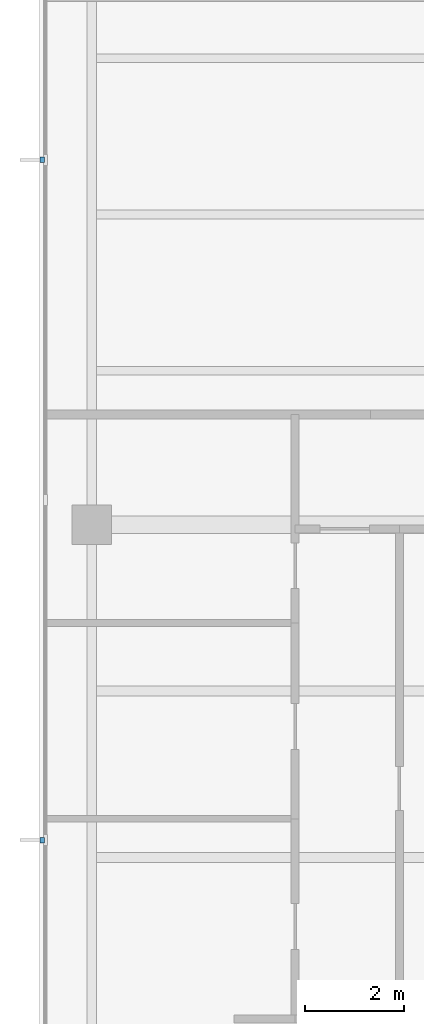
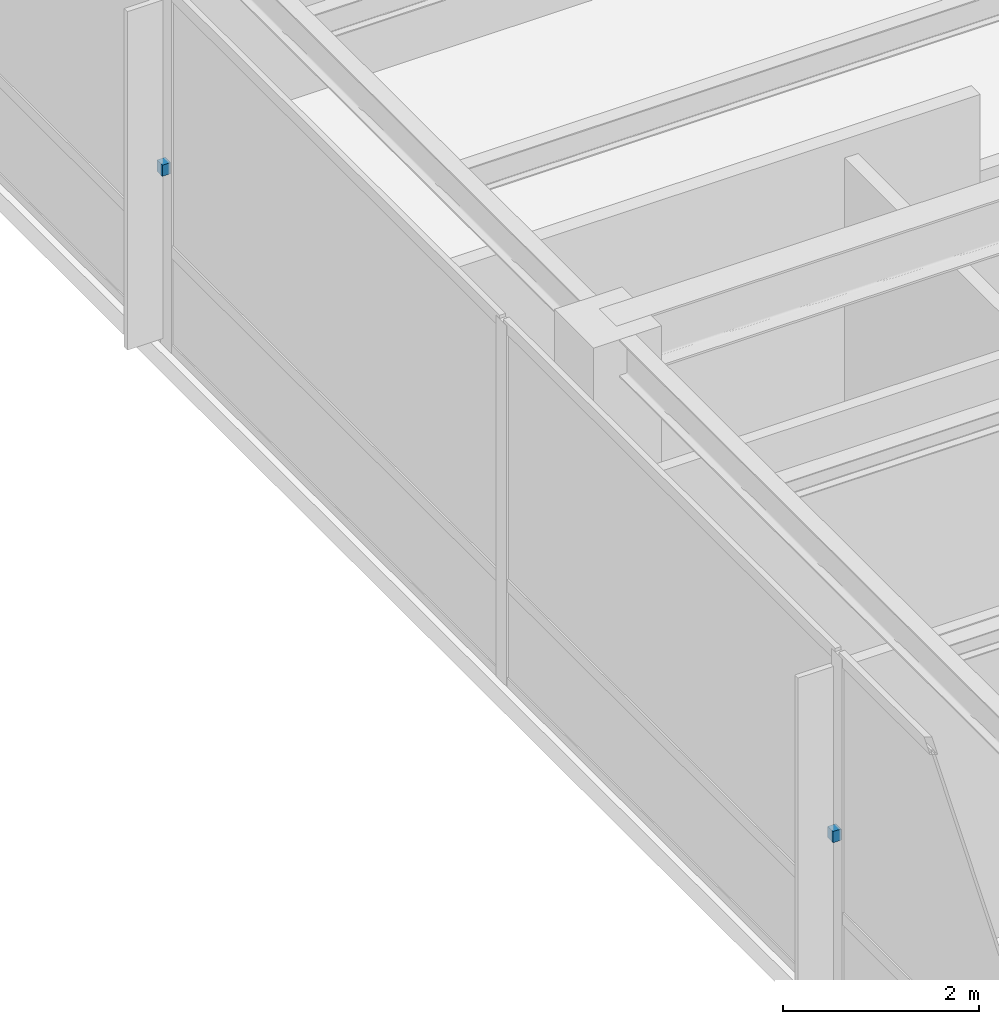
# One storey, part 9 of 11: 2 discrete accessories.
"""IFC4 building model written with IfcOpenShell, lengths in metres."""

from ifc_helpers import new_model, si_unit, direction, frame, origin, place, context, subcontext, project, spatial, polyline, outline, extrude, material, type_object, element, save


model = new_model("IFC4")

# Units and contexts
model_context = context("Model", 3, precision=1e-05, world=origin(), true_north=direction((0.0, 1.0)))
body_context = subcontext(model_context, "Body", "Model", "MODEL_VIEW")
ifc_project = project(units=[si_unit("LENGTHUNIT", "METRE"), si_unit("AREAUNIT", "SQUARE_METRE"), si_unit("VOLUMEUNIT", "CUBIC_METRE"), si_unit("PLANEANGLEUNIT", "RADIAN"), si_unit("MASSUNIT", "GRAM", prefix="KILO")], contexts=[model_context])

# Site, building, storey
site_placement = place(None, origin())
site = spatial("IfcSite", under=ifc_project, at=site_placement, CompositionType="ELEMENT")
building_placement = place(site_placement, origin())
building = spatial("IfcBuilding", under=site, at=building_placement, Name="Qalmaran Belvedere Hotel", CompositionType="ELEMENT")
storey_placement = place(building_placement, frame((0.0, 0.0, 293.89990234375)))
storey = spatial("IfcBuildingStorey", under=building, at=storey_placement, Name="L76", CompositionType="ELEMENT", Elevation=293.89990234375)

# Discrete accessories
ifc_material = material(Name="Stainless Steel 1.4401", Category="steel")
discrete_accessory_type = type_object("IfcDiscreteAccessoryType", Name="BRK-FIN-SS316", PredefinedType="BRACKET", material=ifc_material)
discrete_accessory_1_placement = place(storey_placement, frame((0.0, 0.0, 2.2001953125)))
element("IfcDiscreteAccessory", 1, at=discrete_accessory_1_placement, inside=storey, type_object=discrete_accessory_type, Name="L76 Fin Bracket 1", PredefinedType="BRACKET", context=body_context, shape_type="SweptSolid", body=[
    extrude(outline(polyline([(11.455078125, 27.905029296875), (11.357421875, 27.905029296875), (11.357421875, 27.794921875), (11.455078125, 27.794921875), (11.455078125, 27.905029296875)])), origin(), (0.0, 0.0, 1.0), 0.139892578125),
])
discrete_accessory_2_placement = place(storey_placement, frame((0.0, 0.0, 2.2001953125)))
element("IfcDiscreteAccessory", 2, at=discrete_accessory_2_placement, inside=storey, type_object=discrete_accessory_type, Name="L76 Fin Bracket 3", PredefinedType="BRACKET", context=body_context, shape_type="SweptSolid", body=[
    extrude(outline(polyline([(11.455078125, 14.205078125), (11.357421875, 14.205078125), (11.357421875, 14.094970703125), (11.455078125, 14.094970703125), (11.455078125, 14.205078125)])), origin(), (0.0, 0.0, 1.0), 0.139892578125),
])

save(model, "model.ifc")
